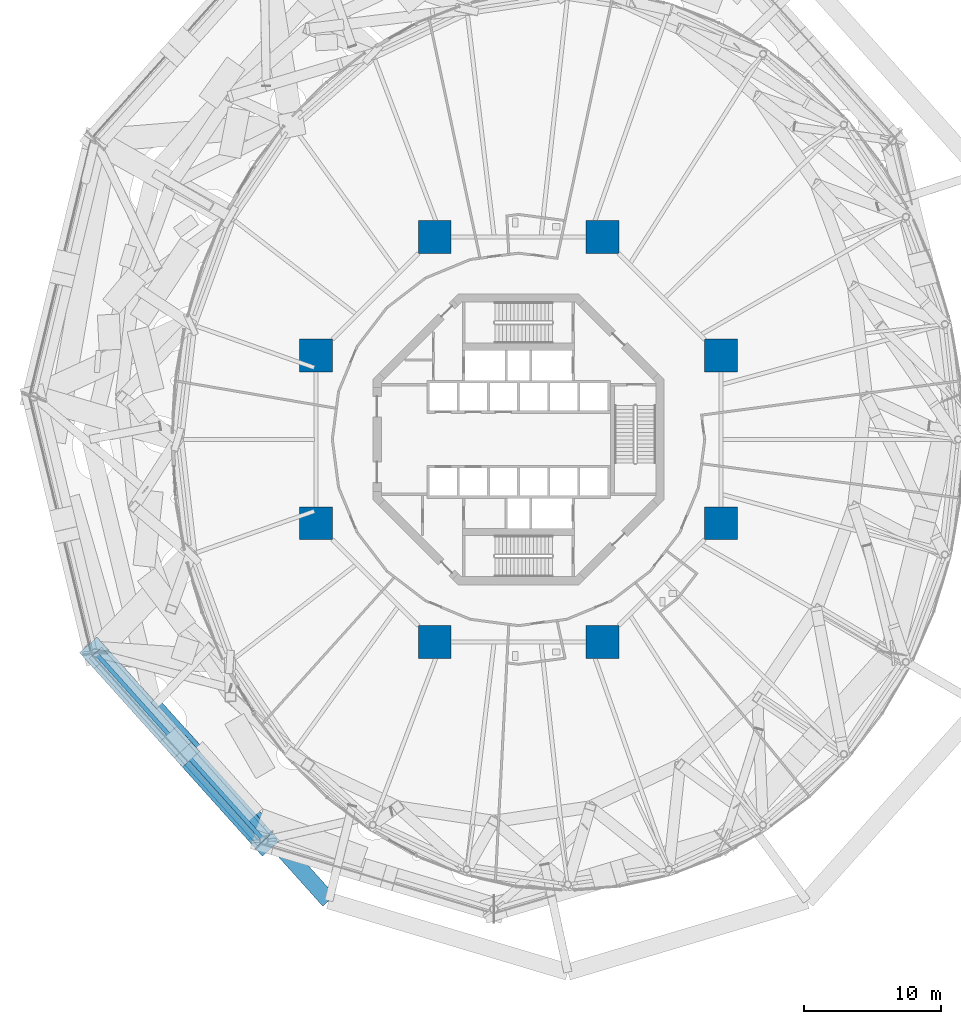
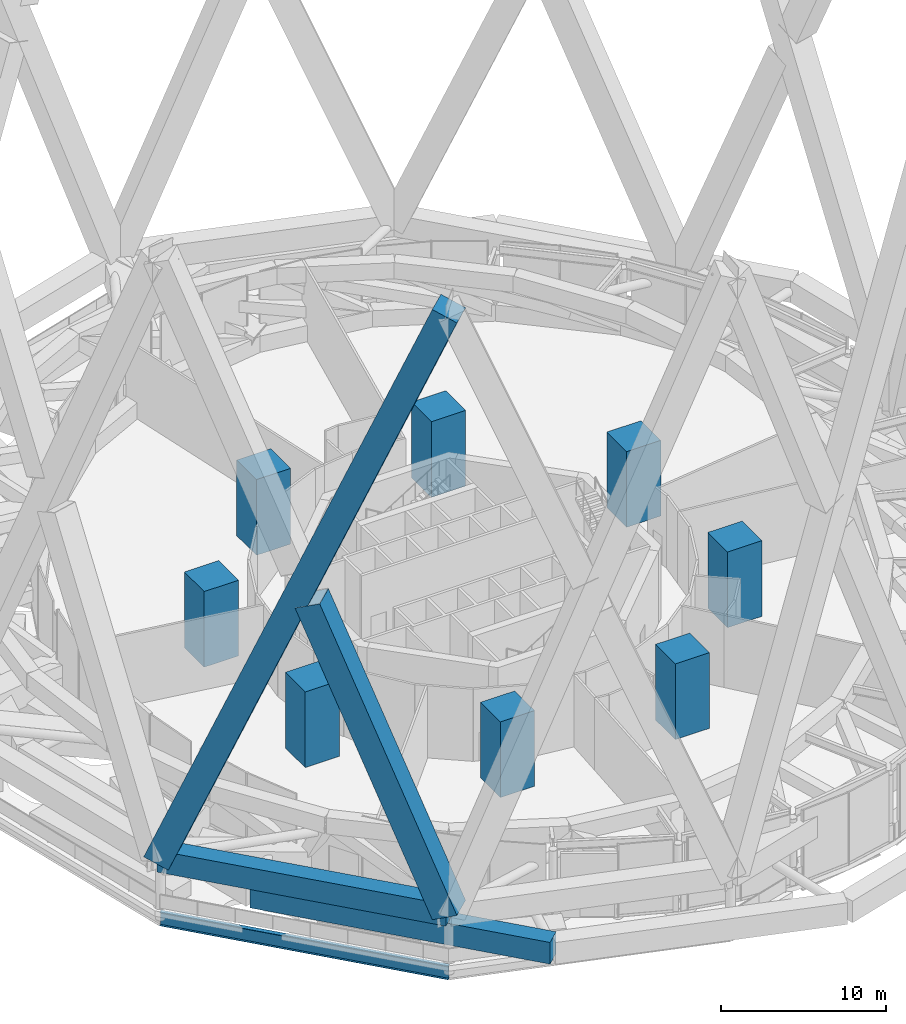
# One storey, part 1 of 51: 8 columns, 4 members, 1 beam.
"""IFC4 building model written with IfcOpenShell, lengths in metres."""

from ifc_helpers import new_model, si_unit, direction, frame, origin, origin_2d, place, context, subcontext, project, spatial, rectangle, i_section, extrude, material, material_profile, profile_set, type_object, element, save


model = new_model("IFC4")

# Units and contexts
model_context = context("Model", 3, precision=1e-05, world=origin(), true_north=direction((0.0, 1.0)))
body_context = subcontext(model_context, "Body", "Model", "MODEL_VIEW")
ifc_project = project(units=[si_unit("LENGTHUNIT", "METRE"), si_unit("AREAUNIT", "SQUARE_METRE"), si_unit("VOLUMEUNIT", "CUBIC_METRE"), si_unit("PLANEANGLEUNIT", "RADIAN"), si_unit("MASSUNIT", "GRAM", prefix="KILO")], contexts=[model_context])

# Site, building, storey
site_placement = place(None, origin())
site = spatial("IfcSite", under=ifc_project, at=site_placement, CompositionType="ELEMENT")
building_placement = place(site_placement, origin())
building = spatial("IfcBuilding", under=site, at=building_placement, Name="Nagisa Residences", CompositionType="ELEMENT")
storey_placement = place(building_placement, frame((0.0, 0.0, 67.699951171875)))
storey = spatial("IfcBuildingStorey", under=building, at=storey_placement, Name="L16", CompositionType="ELEMENT", Elevation=67.699951171875)

# Columns
ifc_material_1 = material(Name="Concrete C80", Category="concrete")
ifc_material_profile_1 = material_profile(ifc_material_1, rectangle(XDim=2.39990234375, YDim=2.39990234375, at=origin_2d()), Name="C80 2400x2400")
ifc_profile_set_1 = profile_set([ifc_material_profile_1], Name="Concrete C80")
column_type = type_object("IfcColumnType", Name="Inner megacolumn C80 2400x2400", PredefinedType="COLUMN", material=ifc_profile_set_1)
for number, where, z_axis, x_axis, name in (
    (1, (14.781982421875, 6.123046875, 0.0), (0.0, 0.0, 1.0), (1.0, 0.0, 0.0), "col:L16:i1"),
    (2, (6.123046875, 14.781982421875, 0.0), (0.0, 0.0, 1.0), (1.0, 0.0, 0.0), "col:L16:i2"),
    (3, (-6.123046875, 14.781982421875, 0.0), (0.0, 0.0, 1.0), (1.0, 0.0, 0.0), "col:L16:i3"),
    (4, (-14.781982421875, 6.123046875, 0.0), (0.0, 0.0, 1.0), (1.0, 0.0, 0.0), "col:L16:i4"),
    (5, (-14.781982421875, -6.123046875, 0.0), (0.0, 0.0, 1.0), (1.0, 0.0, 0.0), "col:L16:i5"),
    (6, (-6.123046875, -14.781982421875, 0.0), (0.0, 0.0, 1.0), (1.0, 0.0, 0.0), "col:L16:i6"),
    (7, (6.123046875, -14.781982421875, 0.0), (0.0, 0.0, 1.0), (1.0, 0.0, 0.0), "col:L16:i7"),
    (8, (14.781982421875, -6.123046875, 0.0), (0.0, 0.0, 1.0), (1.0, 0.0, 0.0), "col:L16:i8"),
):
    element("IfcColumn", number, at=place(storey_placement, frame(where, z_axis=z_axis, x_axis=x_axis)), inside=storey, type_object=column_type, Name=name, PredefinedType="COLUMN", context=body_context, shape_type="SweptSolid", body=[
        extrude(rectangle(XDim=2.39990234375, YDim=2.39990234375, at=origin_2d()), origin(), (0.0, 0.0, 1.0), 5.60009765625),
    ])

# Members
ifc_material_2 = material(Name="Concrete C80", Category="concrete")
ifc_material_profile_2 = material_profile(ifc_material_2, rectangle(XDim=1.699951171875, YDim=1.699951171875, at=origin_2d()), Name="C80 1700x1700")
ifc_profile_set_2 = profile_set([ifc_material_profile_2], Name="Concrete C80")
member_type_1 = type_object("IfcMemberType", Name="Cage diagonal 2 C80 1700x1700", PredefinedType="BRACE", material=ifc_profile_set_2)
member_1_placement = place(storey_placement, frame((-30.89404296875, -15.58984375, 3.699951171875), z_axis=(0.255349646775, -0.2843842811, 0.924079075921), x_axis=(0.744069300954, 0.668102443775, 0.0)))
element("IfcMember", 9, at=member_1_placement, inside=storey, type_object=member_type_1, Name="mem:L16:cg2d015", PredefinedType="BRACE", context=body_context, shape_type="SweptSolid", body=[
    extrude(rectangle(XDim=1.699951171875, YDim=1.699951171875, at=origin_2d()), origin(), (0.0, 0.0, 1.0), 48.156005859375),
])
member_2_placement = place(storey_placement, frame((-18.597412109375, -29.28466796875, 3.699951171875), z_axis=(-0.255351092109, 0.284388134781, 0.924077490557), x_axis=(-0.744071921623, -0.668099525111, 0.0)))
element("IfcMember", 10, at=member_2_placement, inside=storey, type_object=member_type_1, Name="mem:L16:cg2d016a", PredefinedType="BRACE", context=body_context, shape_type="SweptSolid", body=[
    extrude(rectangle(XDim=1.699951171875, YDim=1.699951171875, at=origin_2d()), origin(), (0.0, 0.0, 1.0), 22.894775390625),
])
ifc_material_3 = material(Name="Concrete C80", Category="concrete")
ifc_material_profile_3 = material_profile(ifc_material_3, rectangle(XDim=1.199951171875, YDim=1.60009765625, at=origin_2d()), Name="C80 1200x1600")
ifc_profile_set_3 = profile_set([ifc_material_profile_3], Name="Concrete C80")
member_type_2 = type_object("IfcMemberType", Name="Cage ring 1 C80 1200x1600", PredefinedType="CHORD", material=ifc_profile_set_3)
member_3_placement = place(storey_placement, frame((-26.624267578125, -19.449951171875, 1.900146484375), z_axis=(0.66779408663, -0.744346060554, 0.0), x_axis=(0.744346060554, 0.66779408663, 0.0)))
element("IfcMember", 11, at=member_3_placement, inside=storey, type_object=member_type_2, Name="beam:L16:cg1r208", PredefinedType="CHORD", context=body_context, shape_type="SweptSolid", body=[
    extrude(rectangle(XDim=1.199951171875, YDim=1.60009765625, at=origin_2d()), origin(), (0.0, 0.0, 1.0), 19.12890625),
])
ifc_material_4 = material(Name="Concrete C80", Category="concrete")
ifc_material_profile_4 = material_profile(ifc_material_4, rectangle(XDim=1.199951171875, YDim=1.60009765625, at=origin_2d()), Name="C80 1200x1600")
ifc_profile_set_4 = profile_set([ifc_material_profile_4], Name="Concrete C80")
member_type_3 = type_object("IfcMemberType", Name="Cage ring 2 C80 1200x1600", PredefinedType="CHORD", material=ifc_profile_set_4)
member_4_placement = place(storey_placement, frame((-30.89404296875, -15.58984375, 3.699951171875), z_axis=(0.668102443775, -0.744069300954, 0.0), x_axis=(0.744069300954, 0.668102443775, 0.0)))
element("IfcMember", 12, at=member_4_placement, inside=storey, type_object=member_type_3, Name="beam:L16:cg2r008", PredefinedType="CHORD", context=body_context, shape_type="SweptSolid", body=[
    extrude(rectangle(XDim=1.199951171875, YDim=1.60009765625, at=origin_2d()), origin(), (0.0, 0.0, 1.0), 18.4052734375),
])

# Beam
ifc_material_5 = material(Name="Steel ASTM A572 Gr 50", Category="steel")
ifc_material_profile_5 = material_profile(ifc_material_5, i_section(OverallWidth=0.300048828125, OverallDepth=0.97998046875, WebThickness=0.0166015625, FlangeThickness=0.02587890625, at=origin_2d()), Name="W1000x249")
ifc_profile_set_5 = profile_set([ifc_material_profile_5], Name="Steel ASTM A572 Gr 50")
beam_type = type_object("IfcBeamType", Name="Deck edge beam W1000x249", PredefinedType="BEAM", material=ifc_profile_set_5)
beam_placement = place(storey_placement, frame((-30.89404296875, -15.58984375, -0.889892578125), z_axis=(0.668102443775, -0.744069300954, 0.0), x_axis=(0.744069300954, 0.668102443775, 0.0)))
element("IfcBeam", 13, at=beam_placement, inside=storey, type_object=beam_type, Name="beam:L16:deckedge08", PredefinedType="BEAM", context=body_context, shape_type="SweptSolid", body=[
    extrude(i_section(OverallWidth=0.300048828125, OverallDepth=0.97998046875, WebThickness=0.0166015625, FlangeThickness=0.02587890625, at=origin_2d()), origin(), (0.0, 0.0, 1.0), 18.4052734375),
])

save(model, "model.ifc")
